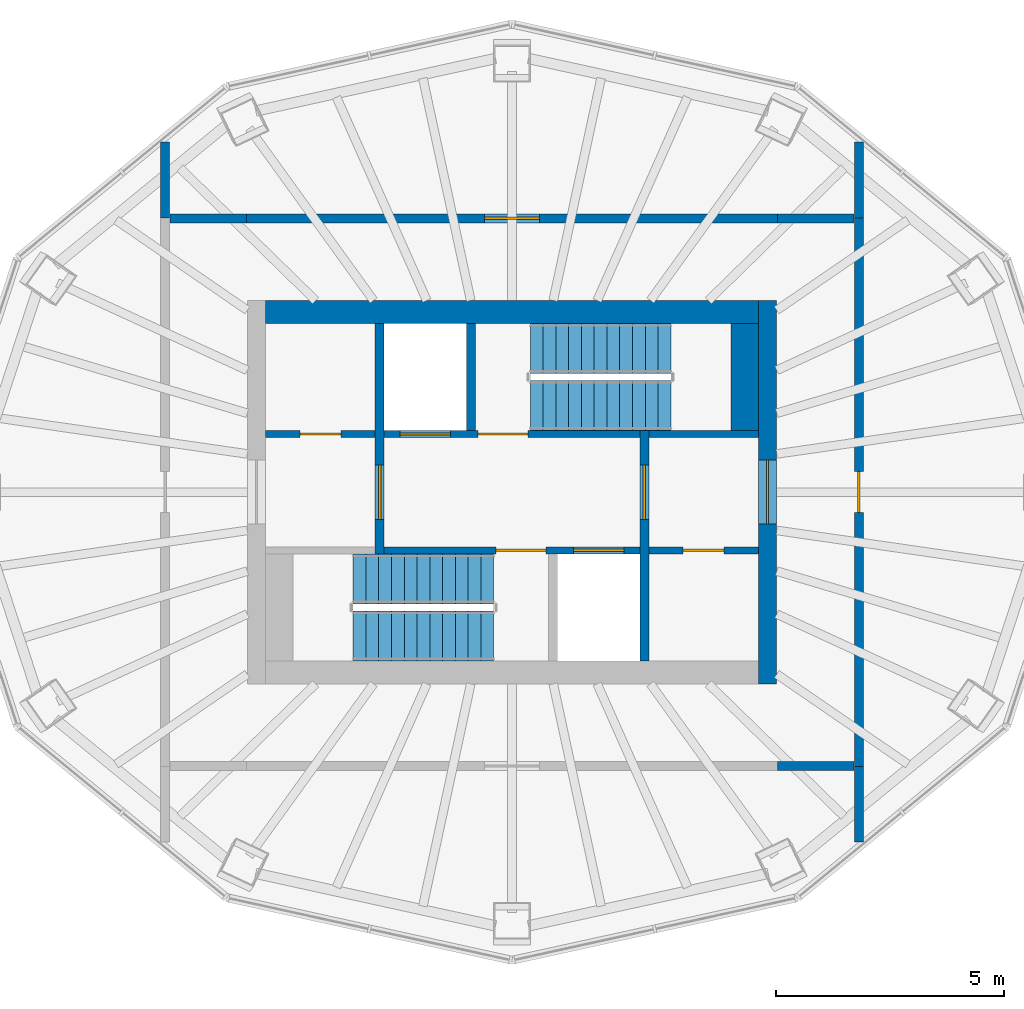
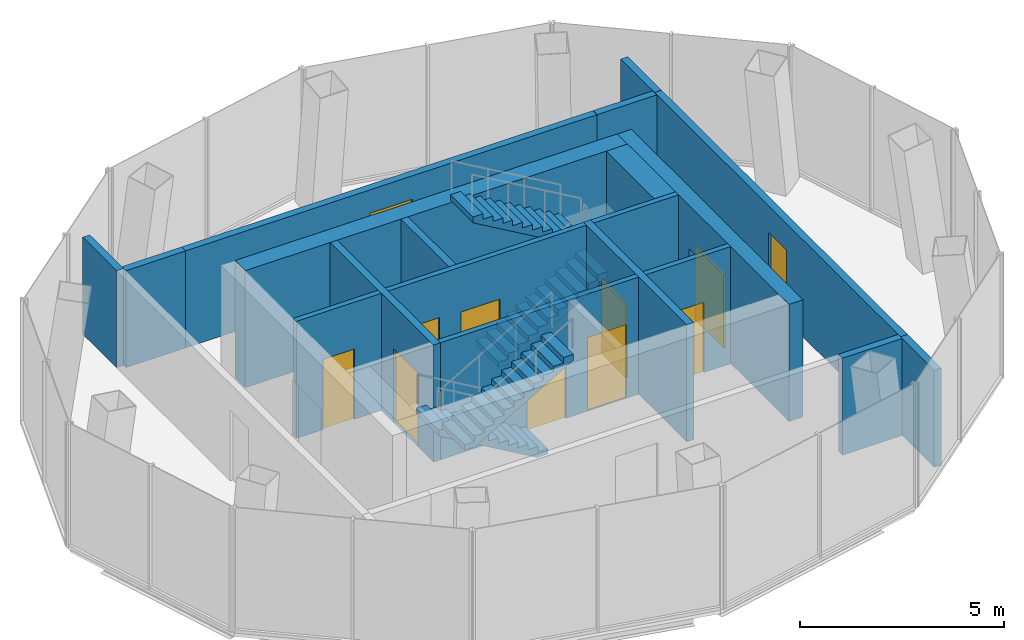
# One storey, part 4 of 5: 19 walls, 11 doors, 4 stair flights, 11 openings, 2 elements without a shape of their own.
"""IFC4 building model written with IfcOpenShell, lengths in metres."""

import ifcopenshell
import ifcopenshell.guid

model = None  # the IFC model being written
_history = None  # IfcOwnerHistory: only IFC2X3 demands one
_inside = {}  # id of a spatial element -> (the spatial element, [elements in it])
_under = {}  # id of a project, library or spatial element -> (it, [spatial elements below it])
_declared = {}  # id of a project -> (the project, [libraries it declares])
_typed = {}  # id of a type object -> (the type object, [elements of that type])
_made_of = {}  # id of a material, layer set ... -> (it, [elements and type objects made of it])


def new_model(schema):
    """Start an empty IFC model of exactly this schema.

    Asked for "IFC4X3", IfcOpenShell would pick the latest addendum, in which some entities
    have other attributes; the version numbers below select the first issue.
    IFC2X3 requires an IfcOwnerHistory on every rooted entity: one is made here for all.
    """
    global model, _history
    if schema == "IFC4X3":
        model = ifcopenshell.file(schema_version=(4, 3, 0, 0))
    else:
        model = ifcopenshell.file(schema=schema)
    _inside.clear()
    _under.clear()
    _declared.clear()
    _typed.clear()
    _made_of.clear()
    _history = None
    if model.schema == "IFC2X3":
        org = make("IfcOrganization", Name="unknown")
        user = make(
            "IfcPersonAndOrganization",
            ThePerson=make("IfcPerson", FamilyName="unknown"),
            TheOrganization=org,
        )
        app = make(
            "IfcApplication",
            ApplicationDeveloper=org,
            Version="unknown",
            ApplicationFullName="unknown",
            ApplicationIdentifier="unknown",
        )
        _history = make(
            "IfcOwnerHistory",
            OwningUser=user,
            OwningApplication=app,
            ChangeAction="ADDED",
            CreationDate=0,
        )
    return model


def make(cls, **values):
    """One entity of the class cls with the attributes given. An attribute that is None is left unset."""
    return model.create_entity(
        cls, **{name: value for name, value in values.items() if value is not None}
    )


def rooted(cls, **values):
    """An entity with a GlobalId (a new one), such as an element, a storey or a relation."""
    return make(cls, GlobalId=ifcopenshell.guid.new(), OwnerHistory=_history, **values)


def si_unit(unit_type, name, prefix=None):
    """IfcSIUnit, for example si_unit("LENGTHUNIT", "METRE", prefix="MILLI")."""
    return make("IfcSIUnit", UnitType=unit_type, Prefix=prefix, Name=name)


def assignment(units):
    """IfcUnitAssignment: the units of a project."""
    return None if units is None else make("IfcUnitAssignment", Units=units)


def point(xyz):
    """IfcCartesianPoint."""
    return None if xyz is None else make("IfcCartesianPoint", Coordinates=xyz)


def direction(xyz):
    """IfcDirection."""
    return None if xyz is None else make("IfcDirection", DirectionRatios=xyz)


def frame(location, z_axis=None, x_axis=None):
    """IfcAxis2Placement3D, a coordinate frame: its origin and axes. An axis left out is left unset."""
    return make(
        "IfcAxis2Placement3D",
        Location=point(location),
        Axis=direction(z_axis),
        RefDirection=direction(x_axis),
    )


def frame_2d(location, x_axis=None):
    """IfcAxis2Placement2D, a coordinate frame in the plane: its origin and x axis."""
    return make(
        "IfcAxis2Placement2D", Location=point(location), RefDirection=direction(x_axis)
    )


def origin():
    """The frame at (0, 0, 0) with its axes left unset."""
    return frame((0.0, 0.0, 0.0))


def place(relative_to, where):
    """IfcLocalPlacement: puts the frame where relative to a parent placement (None: the world)."""
    return make(
        "IfcLocalPlacement", PlacementRelTo=relative_to, RelativePlacement=where
    )


def context(
    kind, dimensions, precision=None, world=None, true_north=None, identifier=None
):
    """IfcGeometricRepresentationContext, for example the 3D "Model" context."""
    return make(
        "IfcGeometricRepresentationContext",
        ContextIdentifier=identifier,
        ContextType=kind,
        CoordinateSpaceDimension=dimensions,
        Precision=precision,
        WorldCoordinateSystem=world,
        TrueNorth=true_north,
    )


def subcontext(parent, identifier, kind, view, scale=None):
    """IfcGeometricRepresentationSubContext, for example "Body" below "Model"."""
    return make(
        "IfcGeometricRepresentationSubContext",
        ContextIdentifier=identifier,
        ContextType=kind,
        ParentContext=parent,
        TargetScale=scale,
        TargetView=view,
    )


def project(units=None, contexts=None):
    """IfcProject with its units and contexts."""
    return rooted(
        "IfcProject",
        Name="project",
        RepresentationContexts=contexts,
        UnitsInContext=assignment(units),
    )


def spatial(cls, under=None, at=None, **own):
    """A site, building, storey or space (cls), placed at a placement, below another one or the project."""
    s = rooted(cls, ObjectPlacement=at, **own)
    if under is not None:
        _under.setdefault(under.id(), (under, []))[1].append(s)
    return s


def polyline(points):
    """IfcPolyline through the points."""
    return make("IfcPolyline", Points=[point(p) for p in points])


def profile(cls, at=None, kind="AREA", **sizes):
    """A parametric profile (cls). Its sizes go by their IFC names, for example OverallWidth=200.0."""
    return make(cls, ProfileType=kind, Position=at, **sizes)


def rectangle(**sizes):
    """IfcRectangleProfileDef."""
    return profile("IfcRectangleProfileDef", **sizes)


def outline(outer, holes=None, kind="AREA"):
    """IfcArbitraryClosedProfileDef: a profile drawn as a closed curve; with holes, ...WithVoids."""
    if holes is None:
        return make("IfcArbitraryClosedProfileDef", ProfileType=kind, OuterCurve=outer)
    return make(
        "IfcArbitraryProfileDefWithVoids",
        ProfileType=kind,
        OuterCurve=outer,
        InnerCurves=holes,
    )


def extrude(swept, where, along, depth):
    """IfcExtrudedAreaSolid: the profile swept, set in the frame where, extruded along a direction by depth."""
    return make(
        "IfcExtrudedAreaSolid",
        SweptArea=swept,
        Position=where,
        ExtrudedDirection=direction(along),
        Depth=depth,
    )


def shape(context_of_items, identifier, shape_type, items):
    """IfcShapeRepresentation: the items that make up one representation, for example the "Body"."""
    return make(
        "IfcShapeRepresentation",
        ContextOfItems=context_of_items,
        RepresentationIdentifier=identifier,
        RepresentationType=shape_type,
        Items=items,
    )


def material(Name=None, Category=None):
    """IfcMaterial."""
    return make("IfcMaterial", Name=Name, Category=Category)


def layer(
    of_material, thickness, ventilated=None, Name=None, Category=None, Priority=None
):
    """IfcMaterialLayer: one layer of a wall or slab, of a material (None: an air gap)."""
    return make(
        "IfcMaterialLayer",
        Material=of_material,
        LayerThickness=thickness,
        IsVentilated=ventilated,
        Name=Name,
        Category=Category,
        Priority=Priority,
    )


def layer_set(layers, Name=None):
    """IfcMaterialLayerSet."""
    return make("IfcMaterialLayerSet", MaterialLayers=layers, LayerSetName=Name)


def made_of(thing, what):
    """Note that an element or type object is made of a material, layer set ...; save() writes the relation."""
    if what is not None:
        _made_of.setdefault(what.id(), (what, []))[1].append(thing)
    return thing


def type_object(cls, material=None, **own):
    """A type object (cls), such as IfcWallType, which elements share."""
    return made_of(rooted(cls, **own), material)


def element(
    cls,
    number,
    at=None,
    inside=None,
    cuts=None,
    type_object=None,
    material=None,
    context=None,
    identifier="Body",
    shape_type=None,
    held_by="IfcProductDefinitionShape",
    body=None,
    shapes=None,
    **own,
):
    """One element of the class cls, such as IfcWall. Its Tag is "e" and its number.

    at: its placement. inside: the storey or other place that contains it. cuts: it is an
    opening in that element (IfcRelVoidsElement). A single representation is given by context,
    identifier, shape_type and body (its items); several are given by shapes. held_by: the class
    of the entity that holds the representations. save() writes the other relations.
    """
    e = rooted(cls, Tag="e%d" % number, ObjectPlacement=at, **own)
    if body is not None:
        shapes = [shape(context, identifier, shape_type, body)]
    if shapes is not None:
        e.Representation = make(held_by, Representations=shapes)
    if inside is not None:
        _inside.setdefault(inside.id(), (inside, []))[1].append(e)
    if cuts is not None:
        rooted(
            "IfcRelVoidsElement", RelatingBuildingElement=cuts, RelatedOpeningElement=e
        )
    if type_object is not None:
        _typed.setdefault(type_object.id(), (type_object, []))[1].append(e)
    return made_of(e, material)


def fill(opening, filler):
    """IfcRelFillsElement: the door or window that sits in an opening."""
    return rooted(
        "IfcRelFillsElement",
        RelatingOpeningElement=opening,
        RelatedBuildingElement=filler,
    )


def aggregate(whole, parts):
    """IfcRelAggregates: a whole, such as a stair, and the parts it consists of."""
    return rooted("IfcRelAggregates", RelatingObject=whole, RelatedObjects=parts)


def save(model, path):
    """Write the relations noted so far, then the file.

    IfcRelAggregates (storeys below a building ...), IfcRelContainedInSpatialStructure (elements
    in a storey), IfcRelDefinesByType, IfcRelAssociatesMaterial and IfcRelDeclares: one each for
    every whole, place, type object, material and project.
    """
    for whole, parts in _under.values():
        aggregate(whole, parts)
    for where, things in _inside.values():
        rooted(
            "IfcRelContainedInSpatialStructure",
            RelatedElements=things,
            RelatingStructure=where,
        )
    for kind, things in _typed.values():
        rooted("IfcRelDefinesByType", RelatedObjects=things, RelatingType=kind)
    for what, things in _made_of.values():
        rooted("IfcRelAssociatesMaterial", RelatedObjects=things, RelatingMaterial=what)
    for by, libraries in _declared.values():
        rooted("IfcRelDeclares", RelatingContext=by, RelatedDefinitions=libraries)
    model.write(path)


model = new_model("IFC4")

# Units and contexts
model_context = context("Model", 3, precision=1e-05, world=origin(), true_north=direction((0.0, 1.0)))
body_context = subcontext(model_context, "Body", "Model", "MODEL_VIEW")
ifc_project = project(units=[si_unit("LENGTHUNIT", "METRE"), si_unit("AREAUNIT", "SQUARE_METRE"), si_unit("VOLUMEUNIT", "CUBIC_METRE"), si_unit("PLANEANGLEUNIT", "RADIAN"), si_unit("MASSUNIT", "GRAM", prefix="KILO")], contexts=[model_context])

# Site, building, storey
site_placement = place(None, origin())
site = spatial("IfcSite", under=ifc_project, at=site_placement, CompositionType="ELEMENT")
building_placement = place(site_placement, origin())
building = spatial("IfcBuilding", under=site, at=building_placement, Name="Siaravel Broadcast Tower", CompositionType="ELEMENT")
storey_placement = place(building_placement, frame((0.0, 0.0, 276.5)))
storey = spatial("IfcBuildingStorey", under=building, at=storey_placement, Name="L67", CompositionType="ELEMENT", Elevation=276.5)

# Wall, opening, door
ifc_material_1 = material(Name="Concrete C60/75", Category="concrete")
ifc_layer_1 = layer(ifc_material_1, 0.39990234375)
ifc_layer_set_1 = layer_set([ifc_layer_1], Name="Concrete C60/75")
wall_type_1 = type_object("IfcWallType", Name="Core wall 400", PredefinedType="SHEAR", material=ifc_layer_set_1)
wall_1_placement = place(storey_placement, frame((5.60009765625, -4.199951171875, 0.0), z_axis=(0.0, 0.0, 1.0), x_axis=(0.0, 1.0, 0.0)))
wall_1 = element("IfcWall", 1, at=wall_1_placement, inside=storey, type_object=wall_type_1, Name="L67 core wall OE", PredefinedType="SHEAR", context=body_context, shape_type="SweptSolid", body=[
    extrude(rectangle(XDim=8.39990234375, YDim=0.39990234375, at=frame_2d((4.199951171875, 0.0))), origin(), (0.0, 0.0, 1.0), 3.5),
])
opening_1_placement = place(wall_1_placement, frame((3.5, 0.0, 0.0)))
opening_1 = element("IfcOpeningElement", 2, at=opening_1_placement, cuts=wall_1, Name="Opening L67-DX-E", PredefinedType="OPENING", context=body_context, shape_type="SweptSolid", body=[
    extrude(rectangle(XDim=1.39990234375, YDim=2.199951171875, at=frame_2d((0.699951171875, 1.10009765625))), frame((0.0, 0.2099609375, 0.0), z_axis=(0.0, -1.0, 0.0), x_axis=(1.0, 0.0, 0.0)), (0.0, 0.0, 1.0), 0.419921875),
])
ifc_material_2 = material(Name="Steel", Category="steel")
door_type_1 = type_object("IfcDoorType", Name="Core exit door 1400", OperationType="DOUBLE_DOOR_SINGLE_SWING", PredefinedType="DOOR", material=ifc_material_2)
door_1_placement = place(opening_1_placement, origin())
door_1 = element("IfcDoor", 3, at=door_1_placement, inside=storey, type_object=door_type_1, Name="L67 door DX-E", OperationType="DOUBLE_DOOR_SINGLE_SWING", OverallHeight=2.199951171875, OverallWidth=1.39990234375, PredefinedType="DOOR", context=body_context, shape_type="SweptSolid", body=[
    extrude(rectangle(XDim=1.39990234375, YDim=2.199951171875, at=frame_2d((0.699951171875, 1.10009765625))), frame((0.0, 0.02490234375, 0.0), z_axis=(0.0, -1.0, 0.0), x_axis=(1.0, 0.0, 0.0)), (0.0, 0.0, 1.0), 0.050048828125),
])
fill(opening_1, door_1)

# Wall
ifc_layer_2 = layer(ifc_material_1, 0.5)
ifc_layer_set_2 = layer_set([ifc_layer_2], Name="Concrete C60/75")
wall_type_2 = type_object("IfcWallType", Name="Core wall 500", PredefinedType="SHEAR", material=ifc_layer_set_2)
wall_2_placement = place(storey_placement, frame((-5.39990234375, 3.949951171875, 0.0), z_axis=(0.0, 0.0, 1.0), x_axis=(1.0, 0.0, 0.0)))
element("IfcWall", 4, at=wall_2_placement, inside=storey, type_object=wall_type_2, Name="L67 core wall ON", PredefinedType="SHEAR", context=body_context, shape_type="SweptSolid", body=[
    extrude(rectangle(XDim=10.7998046875, YDim=0.5, at=frame_2d((5.39990234375, 0.0))), origin(), (0.0, 0.0, 1.0), 3.5),
])

# Wall, opening, door
ifc_material_3 = material(Name="Gypsum board partition", Category="gypsum")
ifc_layer_3 = layer(ifc_material_3, 0.14990234375)
ifc_layer_set_3 = layer_set([ifc_layer_3], Name="Gypsum board partition")
wall_type_3 = type_object("IfcWallType", Name="Corridor wall 150", PredefinedType="PARTITIONING", material=ifc_layer_set_3)
wall_3_placement = place(storey_placement, frame((3.0, -1.27490234375, 0.0), z_axis=(0.0, 0.0, 1.0), x_axis=(1.0, 0.0, 0.0)))
wall_3 = element("IfcWall", 5, at=wall_3_placement, inside=storey, type_object=wall_type_3, Name="L67 core partition CSE", PredefinedType="PARTITIONING", context=body_context, shape_type="SweptSolid", body=[
    extrude(rectangle(XDim=2.39990234375, YDim=0.14990234375, at=frame_2d((1.199951171875, 0.0))), origin(), (0.0, 0.0, 1.0), 3.5),
])
opening_2_placement = place(wall_3_placement, frame((0.75, 0.0, 0.0)))
opening_2 = element("IfcOpeningElement", 6, at=opening_2_placement, cuts=wall_3, Name="Opening L67-DCSE", PredefinedType="OPENING", context=body_context, shape_type="SweptSolid", body=[
    extrude(rectangle(XDim=0.89990234375, YDim=2.10009765625, at=frame_2d((0.449951171875, 1.050048828125))), frame((0.0, 0.0849609375, 0.0), z_axis=(0.0, -1.0, 0.0), x_axis=(1.0, 0.0, 0.0)), (0.0, 0.0, 1.0), 0.169921875),
])
ifc_material_4 = material(Name="Timber veneer", Category="wood")
door_type_2 = type_object("IfcDoorType", Name="Core room door 900", OperationType="SINGLE_SWING_LEFT", PredefinedType="DOOR", material=ifc_material_4)
door_2_placement = place(opening_2_placement, origin())
door_2 = element("IfcDoor", 7, at=door_2_placement, inside=storey, type_object=door_type_2, Name="L67 door DCSE", OperationType="SINGLE_SWING_LEFT", OverallHeight=2.10009765625, OverallWidth=0.89990234375, PredefinedType="DOOR", context=body_context, shape_type="SweptSolid", body=[
    extrude(rectangle(XDim=0.89990234375, YDim=2.10009765625, at=frame_2d((0.449951171875, 1.050048828125))), frame((0.0, 0.02490234375, 0.0), z_axis=(0.0, -1.0, 0.0), x_axis=(1.0, 0.0, 0.0)), (0.0, 0.0, 1.0), 0.050048828125),
])
fill(opening_2, door_2)

wall_4_placement = place(storey_placement, frame((-5.39990234375, 1.27490234375, 0.0), z_axis=(0.0, 0.0, 1.0), x_axis=(1.0, 0.0, 0.0)))
wall_4 = element("IfcWall", 8, at=wall_4_placement, inside=storey, type_object=wall_type_3, Name="L67 core partition CNW", PredefinedType="PARTITIONING", context=body_context, shape_type="SweptSolid", body=[
    extrude(rectangle(XDim=2.39990234375, YDim=0.14990234375, at=frame_2d((1.199951171875, 0.0))), origin(), (0.0, 0.0, 1.0), 3.5),
])
opening_3_placement = place(wall_4_placement, frame((0.75, 0.0, 0.0)))
opening_3 = element("IfcOpeningElement", 9, at=opening_3_placement, cuts=wall_4, Name="Opening L67-DCNW", PredefinedType="OPENING", context=body_context, shape_type="SweptSolid", body=[
    extrude(rectangle(XDim=0.89990234375, YDim=2.10009765625, at=frame_2d((0.449951171875, 1.050048828125))), frame((0.0, 0.0849609375, 0.0), z_axis=(0.0, -1.0, 0.0), x_axis=(1.0, 0.0, 0.0)), (0.0, 0.0, 1.0), 0.169921875),
])
door_3_placement = place(opening_3_placement, origin())
door_3 = element("IfcDoor", 10, at=door_3_placement, inside=storey, type_object=door_type_2, Name="L67 door DCNW", OperationType="SINGLE_SWING_LEFT", OverallHeight=2.10009765625, OverallWidth=0.89990234375, PredefinedType="DOOR", context=body_context, shape_type="SweptSolid", body=[
    extrude(rectangle(XDim=0.89990234375, YDim=2.10009765625, at=frame_2d((0.449951171875, 1.050048828125))), frame((0.0, 0.02490234375, 0.0), z_axis=(0.0, -1.0, 0.0), x_axis=(1.0, 0.0, 0.0)), (0.0, 0.0, 1.0), 0.050048828125),
])
fill(opening_3, door_3)

ifc_material_5 = material(Name="Concrete blockwork", Category="masonry")
ifc_layer_4 = layer(ifc_material_5, 0.199951171875)
ifc_layer_set_4 = layer_set([ifc_layer_4], Name="Concrete blockwork")
wall_type_4 = type_object("IfcWallType", Name="Plant room wall 200", PredefinedType="PARTITIONING", material=ifc_layer_set_4)
wall_5_placement = place(storey_placement, frame((7.60009765625, -6.011962890625, 0.0), z_axis=(0.0, 0.0, 1.0), x_axis=(0.0, 1.0, 0.0)))
wall_5 = element("IfcWall", 11, at=wall_5_placement, inside=storey, type_object=wall_type_4, Name="L67 partition 2", PredefinedType="PARTITIONING", context=body_context, shape_type="SweptSolid", body=[
    extrude(rectangle(XDim=12.02392578125, YDim=0.199951171875, at=frame_2d((6.011962890625, 0.0))), origin(), (0.0, 0.0, 1.0), 2.89990234375),
])
opening_4_placement = place(wall_5_placement, frame((5.56201171875, 0.0, 0.0)))
opening_4 = element("IfcOpeningElement", 12, at=opening_4_placement, cuts=wall_5, Name="Opening L67-002", PredefinedType="OPENING", context=body_context, shape_type="SweptSolid", body=[
    extrude(rectangle(XDim=0.89990234375, YDim=2.10009765625, at=frame_2d((0.449951171875, 1.050048828125))), frame((0.0, 0.10986328125, 0.0), z_axis=(0.0, -1.0, 0.0), x_axis=(1.0, 0.0, 0.0)), (0.0, 0.0, 1.0), 0.219970703125),
])
door_type_3 = type_object("IfcDoorType", Name="Plant room door 900", OperationType="SINGLE_SWING_LEFT", PredefinedType="DOOR", material=ifc_material_2)
door_4_placement = place(opening_4_placement, origin())
door_4 = element("IfcDoor", 13, at=door_4_placement, inside=storey, type_object=door_type_3, Name="L67 door to Electrical plant room", OperationType="SINGLE_SWING_RIGHT", OverallHeight=2.10009765625, OverallWidth=0.89990234375, PredefinedType="DOOR", context=body_context, shape_type="SweptSolid", body=[
    extrude(rectangle(XDim=0.89990234375, YDim=2.10009765625, at=frame_2d((0.449951171875, 1.050048828125))), frame((0.0, 0.02490234375, 0.0), z_axis=(0.0, -1.0, 0.0), x_axis=(1.0, 0.0, 0.0)), (0.0, 0.0, 1.0), 0.050048828125),
])
fill(opening_4, door_4)

wall_6_placement = place(storey_placement, frame((5.81201171875, 6.0, 0.0), z_axis=(0.0, 0.0, 1.0), x_axis=(-1.0, 0.0, 0.0)))
wall_6 = element("IfcWall", 14, at=wall_6_placement, inside=storey, type_object=wall_type_4, Name="L67 partition 4", PredefinedType="PARTITIONING", context=body_context, shape_type="SweptSolid", body=[
    extrude(rectangle(XDim=11.6240234375, YDim=0.199951171875, at=frame_2d((5.81201171875, 0.0))), origin(), (0.0, 0.0, 1.0), 2.89990234375),
])
opening_5_placement = place(wall_6_placement, frame((5.2119140625, 0.0, 0.0)))
opening_5 = element("IfcOpeningElement", 15, at=opening_5_placement, cuts=wall_6, Name="Opening L67-003", PredefinedType="OPENING", context=body_context, shape_type="SweptSolid", body=[
    extrude(rectangle(XDim=1.199951171875, YDim=2.199951171875, at=frame_2d((0.60009765625, 1.10009765625))), frame((0.0, 0.10986328125, 0.0), z_axis=(0.0, -1.0, 0.0), x_axis=(1.0, 0.0, 0.0)), (0.0, 0.0, 1.0), 0.219970703125),
])
door_type_4 = type_object("IfcDoorType", Name="Plant room door 1200", OperationType="DOUBLE_DOOR_SINGLE_SWING", PredefinedType="DOOR", material=ifc_material_2)
door_5_placement = place(opening_5_placement, origin())
door_5 = element("IfcDoor", 16, at=door_5_placement, inside=storey, type_object=door_type_4, Name="L67 door to Air handling plant room", OperationType="DOUBLE_DOOR_SINGLE_SWING", OverallHeight=2.199951171875, OverallWidth=1.199951171875, PredefinedType="DOOR", context=body_context, shape_type="SweptSolid", body=[
    extrude(rectangle(XDim=1.199951171875, YDim=2.199951171875, at=frame_2d((0.60009765625, 1.10009765625))), frame((0.0, 0.02490234375, 0.0), z_axis=(0.0, -1.0, 0.0), x_axis=(1.0, 0.0, 0.0)), (0.0, 0.0, 1.0), 0.050048828125),
])
fill(opening_5, door_5)

# Walls
for number, where, z_axis, x_axis, name in (
    (17, (-5.81298828125, 6.0, 0.0), (0.0, 0.0, 1.0), (-1.0, 0.0, 0.0), "L67 partition 6"),
    (18, (5.81298828125, -6.0, 0.0), (0.0, 0.0, 1.0), (1.0, 0.0, 0.0), "L67 partition 7"),
    (19, (7.498046875, 6.0, 0.0), (0.0, 0.0, 1.0), (-1.0, 0.0, 0.0), "L67 partition 8"),
):
    element("IfcWall", number, at=place(storey_placement, frame(where, z_axis=z_axis, x_axis=x_axis)), inside=storey, type_object=wall_type_4, Name=name, PredefinedType="PARTITIONING", context=body_context, shape_type="SweptSolid", body=[
        extrude(rectangle(XDim=1.68505859375, YDim=0.199951171875, at=frame_2d((0.842529296875, 0.0))), origin(), (0.0, 0.0, 1.0), 2.89990234375),
    ])
for number, where, z_axis, x_axis, name in (
    (20, (7.60009765625, -6.012939453125, 0.0), (0.0, 0.0, 1.0), (0.0, -1.0, 0.0), "L67 partition 10"),
    (21, (7.60009765625, 7.66943359375, 0.0), (0.0, 0.0, 1.0), (0.0, -1.0, 0.0), "L67 partition 11"),
    (22, (-7.60009765625, 6.012939453125, 0.0), (0.0, 0.0, 1.0), (0.0, 1.0, 0.0), "L67 partition 12"),
):
    element("IfcWall", number, at=place(storey_placement, frame(where, z_axis=z_axis, x_axis=x_axis)), inside=storey, type_object=wall_type_4, Name=name, PredefinedType="PARTITIONING", context=body_context, shape_type="SweptSolid", body=[
        extrude(rectangle(XDim=1.656494140625, YDim=0.199951171875, at=frame_2d((0.828125, 0.0))), origin(), (0.0, 0.0, 1.0), 2.89990234375),
    ])

# Wall, openings, doors
ifc_layer_5 = layer(ifc_material_1, 0.14990234375)
ifc_layer_set_5 = layer_set([ifc_layer_5], Name="Concrete C60/75")
wall_type_5 = type_object("IfcWallType", Name="Shaft wall 150", PredefinedType="SHEAR", material=ifc_layer_set_5)
wall_7_placement = place(storey_placement, frame((-2.800048828125, -1.27490234375, 0.0), z_axis=(0.0, 0.0, 1.0), x_axis=(1.0, 0.0, 0.0)))
wall_7 = element("IfcWall", 23, at=wall_7_placement, inside=storey, type_object=wall_type_5, Name="L67 core wall CSM", PredefinedType="SHEAR", context=body_context, shape_type="SweptSolid", body=[
    extrude(rectangle(XDim=5.60009765625, YDim=0.14990234375, at=frame_2d((2.800048828125, 0.0))), origin(), (0.0, 0.0, 1.0), 3.5),
])
opening_6_placement = place(wall_7_placement, frame((4.14990234375, 0.0, 0.0)))
opening_6 = element("IfcOpeningElement", 24, at=opening_6_placement, cuts=wall_7, Name="Opening LD-FL2-L67", PredefinedType="OPENING", context=body_context, shape_type="SweptSolid", body=[
    extrude(rectangle(XDim=1.10009765625, YDim=2.199951171875, at=frame_2d((0.550048828125, 1.10009765625))), frame((0.0, 0.0849609375, 0.0), z_axis=(0.0, -1.0, 0.0), x_axis=(1.0, 0.0, 0.0)), (0.0, 0.0, 1.0), 0.169921875),
])
opening_7_placement = place(wall_7_placement, frame((2.449951171875, 0.0, 0.0)))
opening_7 = element("IfcOpeningElement", 25, at=opening_7_placement, cuts=wall_7, Name="Opening L67-DS-C2", PredefinedType="OPENING", context=body_context, shape_type="SweptSolid", body=[
    extrude(rectangle(XDim=1.10009765625, YDim=2.14990234375, at=frame_2d((0.550048828125, 1.074951171875))), frame((0.0, 0.0849609375, 0.0), z_axis=(0.0, -1.0, 0.0), x_axis=(1.0, 0.0, 0.0)), (0.0, 0.0, 1.0), 0.169921875),
])
ifc_material_6 = material(Name="Stainless steel 316L", Category="steel")
door_type_5 = type_object("IfcDoorType", Name="Firefighting lift landing door 1100", OperationType="DOUBLE_DOOR_SLIDING", PredefinedType="DOOR", material=ifc_material_6)
door_6_placement = place(opening_6_placement, origin())
door_6 = element("IfcDoor", 26, at=door_6_placement, inside=storey, type_object=door_type_5, Name="Landing door FL2 L67", OperationType="DOUBLE_DOOR_SLIDING", OverallHeight=2.199951171875, OverallWidth=1.10009765625, PredefinedType="DOOR", context=body_context, shape_type="SweptSolid", body=[
    extrude(rectangle(XDim=1.10009765625, YDim=2.199951171875, at=frame_2d((0.550048828125, 1.10009765625))), frame((0.0, 0.02490234375, 0.0), z_axis=(0.0, -1.0, 0.0), x_axis=(1.0, 0.0, 0.0)), (0.0, 0.0, 1.0), 0.050048828125),
])
fill(opening_6, door_6)
door_type_6 = type_object("IfcDoorType", Name="Stair door 1100", OperationType="SINGLE_SWING_LEFT", PredefinedType="DOOR", material=ifc_material_2)
door_7_placement = place(opening_7_placement, origin())
door_7 = element("IfcDoor", 27, at=door_7_placement, inside=storey, type_object=door_type_6, Name="L67 door DS-C2", OperationType="SINGLE_SWING_LEFT", OverallHeight=2.14990234375, OverallWidth=1.10009765625, PredefinedType="DOOR", context=body_context, shape_type="SweptSolid", body=[
    extrude(rectangle(XDim=1.10009765625, YDim=2.14990234375, at=frame_2d((0.550048828125, 1.074951171875))), frame((0.0, 0.02490234375, 0.0), z_axis=(0.0, -1.0, 0.0), x_axis=(1.0, 0.0, 0.0)), (0.0, 0.0, 1.0), 0.050048828125),
])
fill(opening_7, door_7)

wall_8_placement = place(storey_placement, frame((-2.800048828125, 1.27490234375, 0.0), z_axis=(0.0, 0.0, 1.0), x_axis=(1.0, 0.0, 0.0)))
wall_8 = element("IfcWall", 28, at=wall_8_placement, inside=storey, type_object=wall_type_5, Name="L67 core wall CNM", PredefinedType="SHEAR", context=body_context, shape_type="SweptSolid", body=[
    extrude(rectangle(XDim=5.60009765625, YDim=0.14990234375, at=frame_2d((2.800048828125, 0.0))), origin(), (0.0, 0.0, 1.0), 3.5),
])
opening_8_placement = place(wall_8_placement, frame((0.35009765625, 0.0, 0.0)))
opening_8 = element("IfcOpeningElement", 29, at=opening_8_placement, cuts=wall_8, Name="Opening LD-FL1-L67", PredefinedType="OPENING", context=body_context, shape_type="SweptSolid", body=[
    extrude(rectangle(XDim=1.10009765625, YDim=2.199951171875, at=frame_2d((0.550048828125, 1.10009765625))), frame((0.0, 0.0849609375, 0.0), z_axis=(0.0, -1.0, 0.0), x_axis=(1.0, 0.0, 0.0)), (0.0, 0.0, 1.0), 0.169921875),
])
opening_9_placement = place(wall_8_placement, frame((2.050048828125, 0.0, 0.0)))
opening_9 = element("IfcOpeningElement", 30, at=opening_9_placement, cuts=wall_8, Name="Opening L67-DS-C1", PredefinedType="OPENING", context=body_context, shape_type="SweptSolid", body=[
    extrude(rectangle(XDim=1.10009765625, YDim=2.14990234375, at=frame_2d((0.550048828125, 1.074951171875))), frame((0.0, 0.0849609375, 0.0), z_axis=(0.0, -1.0, 0.0), x_axis=(1.0, 0.0, 0.0)), (0.0, 0.0, 1.0), 0.169921875),
])
door_8_placement = place(opening_8_placement, origin())
door_8 = element("IfcDoor", 31, at=door_8_placement, inside=storey, type_object=door_type_5, Name="Landing door FL1 L67", OperationType="DOUBLE_DOOR_SLIDING", OverallHeight=2.199951171875, OverallWidth=1.10009765625, PredefinedType="DOOR", context=body_context, shape_type="SweptSolid", body=[
    extrude(rectangle(XDim=1.10009765625, YDim=2.199951171875, at=frame_2d((0.550048828125, 1.10009765625))), frame((0.0, 0.02490234375, 0.0), z_axis=(0.0, -1.0, 0.0), x_axis=(1.0, 0.0, 0.0)), (0.0, 0.0, 1.0), 0.050048828125),
])
fill(opening_8, door_8)
door_9_placement = place(opening_9_placement, origin())
door_9 = element("IfcDoor", 32, at=door_9_placement, inside=storey, type_object=door_type_6, Name="L67 door DS-C1", OperationType="SINGLE_SWING_LEFT", OverallHeight=2.14990234375, OverallWidth=1.10009765625, PredefinedType="DOOR", context=body_context, shape_type="SweptSolid", body=[
    extrude(rectangle(XDim=1.10009765625, YDim=2.14990234375, at=frame_2d((0.550048828125, 1.074951171875))), frame((0.0, 0.02490234375, 0.0), z_axis=(0.0, -1.0, 0.0), x_axis=(1.0, 0.0, 0.0)), (0.0, 0.0, 1.0), 0.050048828125),
])
fill(opening_9, door_9)

# Wall
wall_9_placement = place(storey_placement, frame((3.0, 1.27490234375, 0.0), z_axis=(0.0, 0.0, 1.0), x_axis=(1.0, 0.0, 0.0)))
element("IfcWall", 33, at=wall_9_placement, inside=storey, type_object=wall_type_5, Name="L67 core wall CNE", PredefinedType="SHEAR", context=body_context, shape_type="SweptSolid", body=[
    extrude(rectangle(XDim=2.39990234375, YDim=0.14990234375, at=frame_2d((1.199951171875, 0.0))), origin(), (0.0, 0.0, 1.0), 3.5),
])

# Wall, opening, door
ifc_layer_6 = layer(ifc_material_1, 0.199951171875)
ifc_layer_set_6 = layer_set([ifc_layer_6], Name="Concrete C60/75")
wall_type_6 = type_object("IfcWallType", Name="Shaft wall 200", PredefinedType="SHEAR", material=ifc_layer_set_6)
wall_10_placement = place(storey_placement, frame((-2.89990234375, -1.35009765625, 0.0), z_axis=(0.0, 0.0, 1.0), x_axis=(0.0, 1.0, 0.0)))
wall_10 = element("IfcWall", 34, at=wall_10_placement, inside=storey, type_object=wall_type_6, Name="L67 core wall LW", PredefinedType="SHEAR", context=body_context, shape_type="SweptSolid", body=[
    extrude(rectangle(XDim=5.050048828125, YDim=0.199951171875, at=frame_2d((2.52490234375, 0.0))), origin(), (0.0, 0.0, 1.0), 3.5),
])
opening_10_placement = place(wall_10_placement, frame((0.75, 0.0, 0.0)))
opening_10 = element("IfcOpeningElement", 35, at=opening_10_placement, cuts=wall_10, Name="Opening L67-DL-W", PredefinedType="OPENING", context=body_context, shape_type="SweptSolid", body=[
    extrude(rectangle(XDim=1.199951171875, YDim=2.199951171875, at=frame_2d((0.60009765625, 1.10009765625))), frame((0.0, 0.10986328125, 0.0), z_axis=(0.0, -1.0, 0.0), x_axis=(1.0, 0.0, 0.0)), (0.0, 0.0, 1.0), 0.219970703125),
])
door_type_7 = type_object("IfcDoorType", Name="Firefighting lobby door 1200", OperationType="SINGLE_SWING_LEFT", PredefinedType="DOOR", material=ifc_material_2)
door_10_placement = place(opening_10_placement, origin())
door_10 = element("IfcDoor", 36, at=door_10_placement, inside=storey, type_object=door_type_7, Name="L67 door DL-W", OperationType="SINGLE_SWING_LEFT", OverallHeight=2.199951171875, OverallWidth=1.199951171875, PredefinedType="DOOR", context=body_context, shape_type="SweptSolid", body=[
    extrude(rectangle(XDim=1.199951171875, YDim=2.199951171875, at=frame_2d((0.60009765625, 1.10009765625))), frame((0.0, 0.02490234375, 0.0), z_axis=(0.0, -1.0, 0.0), x_axis=(1.0, 0.0, 0.0)), (0.0, 0.0, 1.0), 0.050048828125),
])
fill(opening_10, door_10)

wall_11_placement = place(storey_placement, frame((2.89990234375, -3.699951171875, 0.0), z_axis=(0.0, 0.0, 1.0), x_axis=(0.0, 1.0, 0.0)))
wall_11 = element("IfcWall", 37, at=wall_11_placement, inside=storey, type_object=wall_type_6, Name="L67 core wall LE", PredefinedType="SHEAR", context=body_context, shape_type="SweptSolid", body=[
    extrude(rectangle(XDim=5.050048828125, YDim=0.199951171875, at=frame_2d((2.52490234375, 0.0))), origin(), (0.0, 0.0, 1.0), 3.5),
])
opening_11_placement = place(wall_11_placement, frame((3.10009765625, 0.0, 0.0)))
opening_11 = element("IfcOpeningElement", 38, at=opening_11_placement, cuts=wall_11, Name="Opening L67-DL-E", PredefinedType="OPENING", context=body_context, shape_type="SweptSolid", body=[
    extrude(rectangle(XDim=1.199951171875, YDim=2.199951171875, at=frame_2d((0.60009765625, 1.10009765625))), frame((0.0, 0.10986328125, 0.0), z_axis=(0.0, -1.0, 0.0), x_axis=(1.0, 0.0, 0.0)), (0.0, 0.0, 1.0), 0.219970703125),
])
door_11_placement = place(opening_11_placement, origin())
door_11 = element("IfcDoor", 39, at=door_11_placement, inside=storey, type_object=door_type_7, Name="L67 door DL-E", OperationType="SINGLE_SWING_LEFT", OverallHeight=2.199951171875, OverallWidth=1.199951171875, PredefinedType="DOOR", context=body_context, shape_type="SweptSolid", body=[
    extrude(rectangle(XDim=1.199951171875, YDim=2.199951171875, at=frame_2d((0.60009765625, 1.10009765625))), frame((0.0, 0.02490234375, 0.0), z_axis=(0.0, -1.0, 0.0), x_axis=(1.0, 0.0, 0.0)), (0.0, 0.0, 1.0), 0.050048828125),
])
fill(opening_11, door_11)

# Walls
wall_12_placement = place(storey_placement, frame((-0.89990234375, 1.35009765625, 0.0), z_axis=(0.0, 0.0, 1.0), x_axis=(0.0, 1.0, 0.0)))
element("IfcWall", 40, at=wall_12_placement, inside=storey, type_object=wall_type_6, Name="L67 core wall FF1E", PredefinedType="SHEAR", context=body_context, shape_type="SweptSolid", body=[
    extrude(rectangle(XDim=2.349853515625, YDim=0.199951171875, at=frame_2d((1.1748046875, 0.0))), origin(), (0.0, 0.0, 1.0), 3.5),
])
ifc_layer_7 = layer(ifc_material_1, 0.60009765625)
ifc_layer_set_7 = layer_set([ifc_layer_7], Name="Concrete C60/75")
wall_type_7 = type_object("IfcWallType", Name="Shaft wall 600", PredefinedType="SHEAR", material=ifc_layer_set_7)
wall_13_placement = place(storey_placement, frame((5.10009765625, 1.35009765625, 0.0), z_axis=(0.0, 0.0, 1.0), x_axis=(0.0, 1.0, 0.0)))
element("IfcWall", 41, at=wall_13_placement, inside=storey, type_object=wall_type_7, Name="L67 core wall STCE", PredefinedType="SHEAR", context=body_context, shape_type="SweptSolid", body=[
    extrude(rectangle(XDim=2.349853515625, YDim=0.60009765625, at=frame_2d((1.1748046875, 0.0))), origin(), (0.0, 0.0, 1.0), 3.5),
])

# Stair, stair flights
ifc_material_7 = material(Name="Concrete C40/50", Category="concrete")
stair_type = type_object("IfcStairType", Name="Core exit stair", PredefinedType="HALF_TURN_STAIR", material=ifc_material_7)
stair_1_placement = place(storey_placement, origin())
stair_1 = element("IfcStair", 42, at=stair_1_placement, inside=storey, type_object=stair_type, Name="L67 Exit stair ST-C1", PredefinedType="HALF_TURN_STAIR")
stair_flight_type = type_object("IfcStairFlightType", Name="Stair flight 1100", PredefinedType="STRAIGHT", material=ifc_material_7)
stair_flight_1_placement = place(storey_placement, frame((0.39990234375, 1.89990234375, 0.0), z_axis=(0.0, 0.0, 1.0), x_axis=(1.0, 0.0, 0.0)))
stair_flight_1 = element("IfcStairFlight", 43, at=stair_flight_1_placement, type_object=stair_flight_type, Name="ST-C1 flight 1", NumberOfRisers=12, NumberOfTreads=11, PredefinedType="STRAIGHT", RiserHeight=0.1625, TreadLength=0.28, context=body_context, shape_type="SweptSolid", body=[
    extrude(outline(polyline([(0.0, 0.0), (0.0, 0.16259765625), (0.280029296875, 0.16259765625), (0.280029296875, 0.324951171875), (0.56005859375, 0.324951171875), (0.56005859375, 0.487548828125), (0.840087890625, 0.487548828125), (0.840087890625, 0.64990234375), (1.1201171875, 0.64990234375), (1.1201171875, 0.8125), (1.39990234375, 0.8125), (1.39990234375, 0.97509765625), (1.679931640625, 0.97509765625), (1.679931640625, 1.137451171875), (1.9599609375, 1.137451171875), (1.9599609375, 1.300048828125), (2.239990234375, 1.300048828125), (2.239990234375, 1.46240234375), (2.52001953125, 1.46240234375), (2.52001953125, 1.625), (2.800048828125, 1.625), (2.800048828125, 1.78759765625), (3.080078125, 1.78759765625), (3.080078125, 1.949951171875), (3.080078125, 1.6142578125), (0.298583984375, 0.0), (0.0, 0.0)])), frame((0.0, 0.550048828125, 0.0), z_axis=(0.0, -1.0, 0.0), x_axis=(1.0, 0.0, 0.0)), (0.0, 0.0, 1.0), 1.10009765625),
])
stair_flight_2_placement = place(storey_placement, frame((3.47998046875, 3.14990234375, 1.949951171875), z_axis=(0.0, 0.0, 1.0), x_axis=(-1.0, 0.0, 0.0)))
stair_flight_2 = element("IfcStairFlight", 44, at=stair_flight_2_placement, type_object=stair_flight_type, Name="ST-C1 flight 2", NumberOfRisers=12, NumberOfTreads=11, PredefinedType="STRAIGHT", RiserHeight=0.1625, TreadLength=0.28, context=body_context, shape_type="SweptSolid", body=[
    extrude(outline(polyline([(0.0, 0.0), (0.0, 0.16259765625), (0.280029296875, 0.16259765625), (0.280029296875, 0.324951171875), (0.56005859375, 0.324951171875), (0.56005859375, 0.487548828125), (0.840087890625, 0.487548828125), (0.840087890625, 0.64990234375), (1.1201171875, 0.64990234375), (1.1201171875, 0.8125), (1.39990234375, 0.8125), (1.39990234375, 0.97509765625), (1.679931640625, 0.97509765625), (1.679931640625, 1.137451171875), (1.9599609375, 1.137451171875), (1.9599609375, 1.300048828125), (2.239990234375, 1.300048828125), (2.239990234375, 1.46240234375), (2.52001953125, 1.46240234375), (2.52001953125, 1.625), (2.800048828125, 1.625), (2.800048828125, 1.78759765625), (3.080078125, 1.78759765625), (3.080078125, 1.949951171875), (3.080078125, 1.6142578125), (0.298583984375, 0.0), (0.0, 0.0)])), frame((0.0, 0.550048828125, 0.0), z_axis=(0.0, -1.0, 0.0), x_axis=(1.0, 0.0, 0.0)), (0.0, 0.0, 1.0), 1.10009765625),
])
aggregate(stair_1, [stair_flight_1, stair_flight_2])

stair_2_placement = place(storey_placement, origin())
stair_2 = element("IfcStair", 45, at=stair_2_placement, inside=storey, type_object=stair_type, Name="L67 Exit stair ST-C2", PredefinedType="HALF_TURN_STAIR")
stair_flight_3_placement = place(storey_placement, frame((-0.39990234375, -1.89990234375, 0.0), z_axis=(0.0, 0.0, 1.0), x_axis=(-1.0, 0.0, 0.0)))
stair_flight_3 = element("IfcStairFlight", 46, at=stair_flight_3_placement, type_object=stair_flight_type, Name="ST-C2 flight 1", NumberOfRisers=12, NumberOfTreads=11, PredefinedType="STRAIGHT", RiserHeight=0.1625, TreadLength=0.28, context=body_context, shape_type="SweptSolid", body=[
    extrude(outline(polyline([(0.0, 0.0), (0.0, 0.16259765625), (0.280029296875, 0.16259765625), (0.280029296875, 0.324951171875), (0.56005859375, 0.324951171875), (0.56005859375, 0.487548828125), (0.840087890625, 0.487548828125), (0.840087890625, 0.64990234375), (1.1201171875, 0.64990234375), (1.1201171875, 0.8125), (1.39990234375, 0.8125), (1.39990234375, 0.97509765625), (1.679931640625, 0.97509765625), (1.679931640625, 1.137451171875), (1.9599609375, 1.137451171875), (1.9599609375, 1.300048828125), (2.239990234375, 1.300048828125), (2.239990234375, 1.46240234375), (2.52001953125, 1.46240234375), (2.52001953125, 1.625), (2.800048828125, 1.625), (2.800048828125, 1.78759765625), (3.080078125, 1.78759765625), (3.080078125, 1.949951171875), (3.080078125, 1.6142578125), (0.298583984375, 0.0), (0.0, 0.0)])), frame((0.0, 0.550048828125, 0.0), z_axis=(0.0, -1.0, 0.0), x_axis=(1.0, 0.0, 0.0)), (0.0, 0.0, 1.0), 1.10009765625),
])
stair_flight_4_placement = place(storey_placement, frame((-3.47998046875, -3.14990234375, 1.949951171875), z_axis=(0.0, 0.0, 1.0), x_axis=(1.0, 0.0, 0.0)))
stair_flight_4 = element("IfcStairFlight", 47, at=stair_flight_4_placement, type_object=stair_flight_type, Name="ST-C2 flight 2", NumberOfRisers=12, NumberOfTreads=11, PredefinedType="STRAIGHT", RiserHeight=0.1625, TreadLength=0.28, context=body_context, shape_type="SweptSolid", body=[
    extrude(outline(polyline([(0.0, 0.0), (0.0, 0.16259765625), (0.280029296875, 0.16259765625), (0.280029296875, 0.324951171875), (0.56005859375, 0.324951171875), (0.56005859375, 0.487548828125), (0.840087890625, 0.487548828125), (0.840087890625, 0.64990234375), (1.1201171875, 0.64990234375), (1.1201171875, 0.8125), (1.39990234375, 0.8125), (1.39990234375, 0.97509765625), (1.679931640625, 0.97509765625), (1.679931640625, 1.137451171875), (1.9599609375, 1.137451171875), (1.9599609375, 1.300048828125), (2.239990234375, 1.300048828125), (2.239990234375, 1.46240234375), (2.52001953125, 1.46240234375), (2.52001953125, 1.625), (2.800048828125, 1.625), (2.800048828125, 1.78759765625), (3.080078125, 1.78759765625), (3.080078125, 1.949951171875), (3.080078125, 1.6142578125), (0.298583984375, 0.0), (0.0, 0.0)])), frame((0.0, 0.550048828125, 0.0), z_axis=(0.0, -1.0, 0.0), x_axis=(1.0, 0.0, 0.0)), (0.0, 0.0, 1.0), 1.10009765625),
])
aggregate(stair_2, [stair_flight_3, stair_flight_4])

save(model, "model.ifc")
